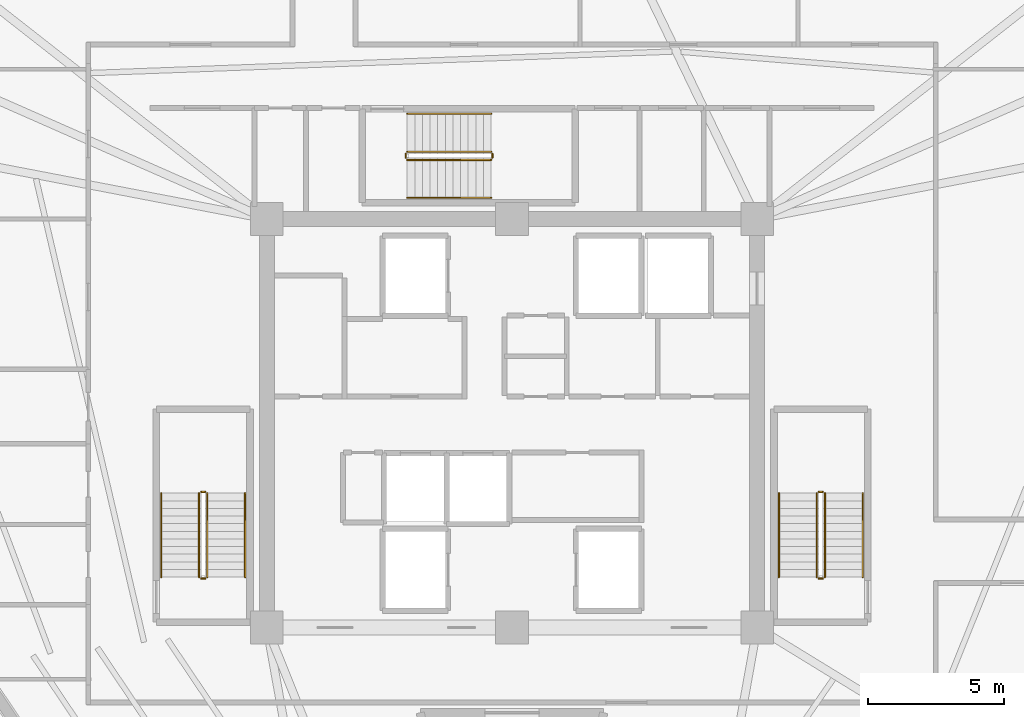
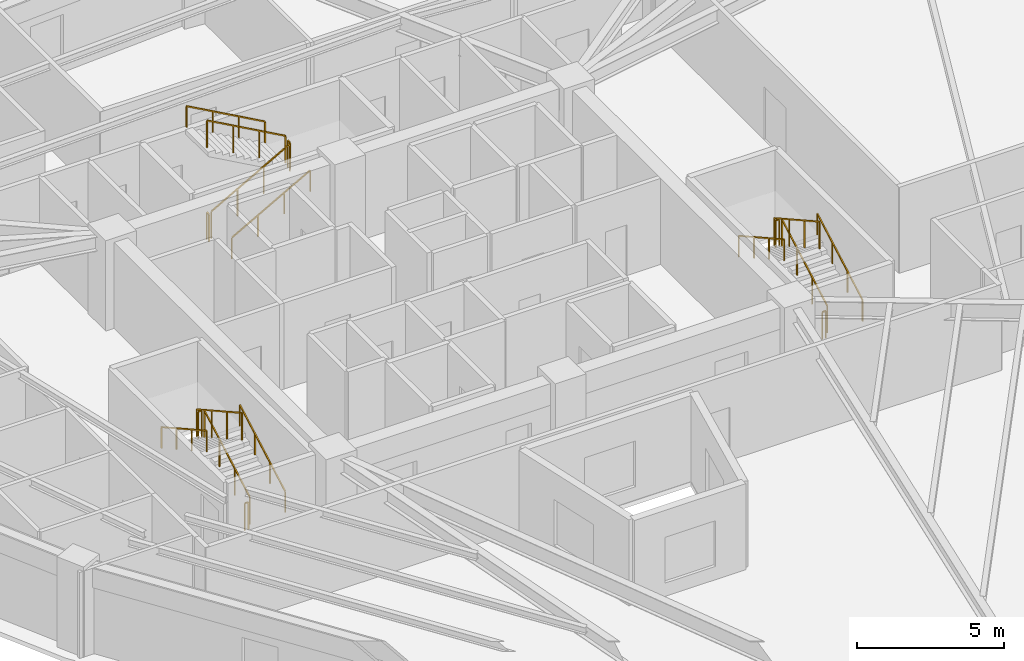
# One storey, part 8 of 8: 18 railings.
"""IFC4 building model written with IfcOpenShell, lengths in metres."""

import ifcopenshell
import ifcopenshell.guid

model = None  # the IFC model being written
_history = None  # IfcOwnerHistory: only IFC2X3 demands one
_inside = {}  # id of a spatial element -> (the spatial element, [elements in it])
_under = {}  # id of a project, library or spatial element -> (it, [spatial elements below it])
_declared = {}  # id of a project -> (the project, [libraries it declares])
_typed = {}  # id of a type object -> (the type object, [elements of that type])
_made_of = {}  # id of a material, layer set ... -> (it, [elements and type objects made of it])


def new_model(schema):
    """Start an empty IFC model of exactly this schema.

    Asked for "IFC4X3", IfcOpenShell would pick the latest addendum, in which some entities
    have other attributes; the version numbers below select the first issue.
    IFC2X3 requires an IfcOwnerHistory on every rooted entity: one is made here for all.
    """
    global model, _history
    if schema == "IFC4X3":
        model = ifcopenshell.file(schema_version=(4, 3, 0, 0))
    else:
        model = ifcopenshell.file(schema=schema)
    _inside.clear()
    _under.clear()
    _declared.clear()
    _typed.clear()
    _made_of.clear()
    _history = None
    if model.schema == "IFC2X3":
        org = make("IfcOrganization", Name="unknown")
        user = make(
            "IfcPersonAndOrganization",
            ThePerson=make("IfcPerson", FamilyName="unknown"),
            TheOrganization=org,
        )
        app = make(
            "IfcApplication",
            ApplicationDeveloper=org,
            Version="unknown",
            ApplicationFullName="unknown",
            ApplicationIdentifier="unknown",
        )
        _history = make(
            "IfcOwnerHistory",
            OwningUser=user,
            OwningApplication=app,
            ChangeAction="ADDED",
            CreationDate=0,
        )
    return model


def make(cls, **values):
    """One entity of the class cls with the attributes given. An attribute that is None is left unset."""
    return model.create_entity(
        cls, **{name: value for name, value in values.items() if value is not None}
    )


def rooted(cls, **values):
    """An entity with a GlobalId (a new one), such as an element, a storey or a relation."""
    return make(cls, GlobalId=ifcopenshell.guid.new(), OwnerHistory=_history, **values)


def si_unit(unit_type, name, prefix=None):
    """IfcSIUnit, for example si_unit("LENGTHUNIT", "METRE", prefix="MILLI")."""
    return make("IfcSIUnit", UnitType=unit_type, Prefix=prefix, Name=name)


def assignment(units):
    """IfcUnitAssignment: the units of a project."""
    return None if units is None else make("IfcUnitAssignment", Units=units)


def point(xyz):
    """IfcCartesianPoint."""
    return None if xyz is None else make("IfcCartesianPoint", Coordinates=xyz)


def direction(xyz):
    """IfcDirection."""
    return None if xyz is None else make("IfcDirection", DirectionRatios=xyz)


def frame(location, z_axis=None, x_axis=None):
    """IfcAxis2Placement3D, a coordinate frame: its origin and axes. An axis left out is left unset."""
    return make(
        "IfcAxis2Placement3D",
        Location=point(location),
        Axis=direction(z_axis),
        RefDirection=direction(x_axis),
    )


def frame_2d(location, x_axis=None):
    """IfcAxis2Placement2D, a coordinate frame in the plane: its origin and x axis."""
    return make(
        "IfcAxis2Placement2D", Location=point(location), RefDirection=direction(x_axis)
    )


def origin():
    """The frame at (0, 0, 0) with its axes left unset."""
    return frame((0.0, 0.0, 0.0))


def origin_2d():
    """The frame at (0, 0) in the plane with its x axis left unset."""
    return frame_2d((0.0, 0.0))


def place(relative_to, where):
    """IfcLocalPlacement: puts the frame where relative to a parent placement (None: the world)."""
    return make(
        "IfcLocalPlacement", PlacementRelTo=relative_to, RelativePlacement=where
    )


def context(
    kind, dimensions, precision=None, world=None, true_north=None, identifier=None
):
    """IfcGeometricRepresentationContext, for example the 3D "Model" context."""
    return make(
        "IfcGeometricRepresentationContext",
        ContextIdentifier=identifier,
        ContextType=kind,
        CoordinateSpaceDimension=dimensions,
        Precision=precision,
        WorldCoordinateSystem=world,
        TrueNorth=true_north,
    )


def subcontext(parent, identifier, kind, view, scale=None):
    """IfcGeometricRepresentationSubContext, for example "Body" below "Model"."""
    return make(
        "IfcGeometricRepresentationSubContext",
        ContextIdentifier=identifier,
        ContextType=kind,
        ParentContext=parent,
        TargetScale=scale,
        TargetView=view,
    )


def project(units=None, contexts=None):
    """IfcProject with its units and contexts."""
    return rooted(
        "IfcProject",
        Name="project",
        RepresentationContexts=contexts,
        UnitsInContext=assignment(units),
    )


def spatial(cls, under=None, at=None, **own):
    """A site, building, storey or space (cls), placed at a placement, below another one or the project."""
    s = rooted(cls, ObjectPlacement=at, **own)
    if under is not None:
        _under.setdefault(under.id(), (under, []))[1].append(s)
    return s


def profile(cls, at=None, kind="AREA", **sizes):
    """A parametric profile (cls). Its sizes go by their IFC names, for example OverallWidth=200.0."""
    return make(cls, ProfileType=kind, Position=at, **sizes)


def rectangle(**sizes):
    """IfcRectangleProfileDef."""
    return profile("IfcRectangleProfileDef", **sizes)


def extrude(swept, where, along, depth):
    """IfcExtrudedAreaSolid: the profile swept, set in the frame where, extruded along a direction by depth."""
    return make(
        "IfcExtrudedAreaSolid",
        SweptArea=swept,
        Position=where,
        ExtrudedDirection=direction(along),
        Depth=depth,
    )


def shape(context_of_items, identifier, shape_type, items):
    """IfcShapeRepresentation: the items that make up one representation, for example the "Body"."""
    return make(
        "IfcShapeRepresentation",
        ContextOfItems=context_of_items,
        RepresentationIdentifier=identifier,
        RepresentationType=shape_type,
        Items=items,
    )


def material(Name=None, Category=None):
    """IfcMaterial."""
    return make("IfcMaterial", Name=Name, Category=Category)


def made_of(thing, what):
    """Note that an element or type object is made of a material, layer set ...; save() writes the relation."""
    if what is not None:
        _made_of.setdefault(what.id(), (what, []))[1].append(thing)
    return thing


def type_object(cls, material=None, **own):
    """A type object (cls), such as IfcWallType, which elements share."""
    return made_of(rooted(cls, **own), material)


def element(
    cls,
    number,
    at=None,
    inside=None,
    cuts=None,
    type_object=None,
    material=None,
    context=None,
    identifier="Body",
    shape_type=None,
    held_by="IfcProductDefinitionShape",
    body=None,
    shapes=None,
    **own,
):
    """One element of the class cls, such as IfcWall. Its Tag is "e" and its number.

    at: its placement. inside: the storey or other place that contains it. cuts: it is an
    opening in that element (IfcRelVoidsElement). A single representation is given by context,
    identifier, shape_type and body (its items); several are given by shapes. held_by: the class
    of the entity that holds the representations. save() writes the other relations.
    """
    e = rooted(cls, Tag="e%d" % number, ObjectPlacement=at, **own)
    if body is not None:
        shapes = [shape(context, identifier, shape_type, body)]
    if shapes is not None:
        e.Representation = make(held_by, Representations=shapes)
    if inside is not None:
        _inside.setdefault(inside.id(), (inside, []))[1].append(e)
    if cuts is not None:
        rooted(
            "IfcRelVoidsElement", RelatingBuildingElement=cuts, RelatedOpeningElement=e
        )
    if type_object is not None:
        _typed.setdefault(type_object.id(), (type_object, []))[1].append(e)
    return made_of(e, material)


def aggregate(whole, parts):
    """IfcRelAggregates: a whole, such as a stair, and the parts it consists of."""
    return rooted("IfcRelAggregates", RelatingObject=whole, RelatedObjects=parts)


def save(model, path):
    """Write the relations noted so far, then the file.

    IfcRelAggregates (storeys below a building ...), IfcRelContainedInSpatialStructure (elements
    in a storey), IfcRelDefinesByType, IfcRelAssociatesMaterial and IfcRelDeclares: one each for
    every whole, place, type object, material and project.
    """
    for whole, parts in _under.values():
        aggregate(whole, parts)
    for where, things in _inside.values():
        rooted(
            "IfcRelContainedInSpatialStructure",
            RelatedElements=things,
            RelatingStructure=where,
        )
    for kind, things in _typed.values():
        rooted("IfcRelDefinesByType", RelatedObjects=things, RelatingType=kind)
    for what, things in _made_of.values():
        rooted("IfcRelAssociatesMaterial", RelatedObjects=things, RelatingMaterial=what)
    for by, libraries in _declared.values():
        rooted("IfcRelDeclares", RelatingContext=by, RelatedDefinitions=libraries)
    model.write(path)


model = new_model("IFC4")

# Units and contexts
model_context = context("Model", 3, precision=1e-05, world=origin(), true_north=direction((0.0, 1.0)))
body_context = subcontext(model_context, "Body", "Model", "MODEL_VIEW")
ifc_project = project(units=[si_unit("LENGTHUNIT", "METRE"), si_unit("AREAUNIT", "SQUARE_METRE"), si_unit("VOLUMEUNIT", "CUBIC_METRE"), si_unit("PLANEANGLEUNIT", "RADIAN"), si_unit("MASSUNIT", "GRAM", prefix="KILO")], contexts=[model_context])

# Site, building, storey
site_placement = place(None, origin())
site = spatial("IfcSite", under=ifc_project, at=site_placement, CompositionType="ELEMENT")
building_placement = place(site_placement, origin())
building = spatial("IfcBuilding", under=site, at=building_placement, Name="Liaohun Quay Tower", CompositionType="ELEMENT")
storey_placement = place(building_placement, frame((0.0, 0.0, 332.25)))
storey = spatial("IfcBuildingStorey", under=building, at=storey_placement, Name="L86", CompositionType="ELEMENT", Elevation=332.25)

# Railings
ifc_material_1 = material(Name="Painted tubular steel", Category="steel")
railing_type_1 = type_object("IfcRailingType", Name="RLG-GUARD-STR", PredefinedType="GUARDRAIL", material=ifc_material_1)
railing_1_placement = place(storey_placement, frame((48.81005859375, 48.35009765625, 0.15625)))
element("IfcRailing", 1, at=railing_1_placement, inside=storey, type_object=railing_type_1, Name="L86 ST-1 stair guard 1", PredefinedType="GUARDRAIL", context=body_context, shape_type="SweptSolid", body=[
    extrude(rectangle(XDim=0.048095703125, YDim=0.048095703125, at=origin_2d()), frame((0.0, 0.0, 1.1259765625), z_axis=(0.0, 0.873225103656, 0.487317061414), x_axis=(-1.0, 0.0, 0.0)), (0.0, 0.0, 1.0), 3.52685546875),
    extrude(rectangle(XDim=0.0419921875, YDim=0.0419921875, at=origin_2d()), origin(), (0.0, 0.0, 1.0), 1.101806640625),
    extrude(rectangle(XDim=0.0419921875, YDim=0.0419921875, at=origin_2d()), frame((0.0, 1.026611328125, 0.572998046875)), (0.0, 0.0, 1.0), 1.101806640625),
    extrude(rectangle(XDim=0.0419921875, YDim=0.0419921875, at=origin_2d()), frame((0.0, 2.05322265625, 1.145751953125)), (0.0, 0.0, 1.0), 1.101806640625),
    extrude(rectangle(XDim=0.0419921875, YDim=0.0419921875, at=origin_2d()), frame((0.0, 3.079833984375, 1.71875)), (0.0, 0.0, 1.0), 1.101806640625),
])
railing_2_placement = place(storey_placement, frame((48.72998046875, 51.47998046875, 1.875)))
element("IfcRailing", 2, at=railing_2_placement, inside=storey, type_object=railing_type_1, Name="L86 ST-1 stair guard 2", PredefinedType="GUARDRAIL", context=body_context, shape_type="SweptSolid", body=[
    extrude(rectangle(XDim=0.048095703125, YDim=0.048095703125, at=origin_2d()), frame((0.0, 0.0, 1.1259765625), z_axis=(-1.0, 0.0, 0.0), x_axis=(0.0, -1.0, 0.0)), (0.0, 0.0, 1.0), 0.139892578125),
    extrude(rectangle(XDim=0.0419921875, YDim=0.0419921875, at=origin_2d()), origin(), (0.0, 0.0, 1.0), 1.101806640625),
    extrude(rectangle(XDim=0.0419921875, YDim=0.0419921875, at=origin_2d()), frame((-0.139892578125, 0.0, 0.0)), (0.0, 0.0, 1.0), 1.101806640625),
])
railing_3_placement = place(storey_placement, frame((48.510009765625, 51.429931640625, 2.03125)))
element("IfcRailing", 3, at=railing_3_placement, inside=storey, type_object=railing_type_1, Name="L86 ST-1 stair guard 3", PredefinedType="GUARDRAIL", context=body_context, shape_type="SweptSolid", body=[
    extrude(rectangle(XDim=0.048095703125, YDim=0.048095703125, at=origin_2d()), frame((0.0, 0.0, 1.1259765625), z_axis=(0.0, -0.873225103656, 0.487317061414), x_axis=(1.0, 0.0, 0.0)), (0.0, 0.0, 1.0), 3.52685546875),
    extrude(rectangle(XDim=0.0419921875, YDim=0.0419921875, at=origin_2d()), origin(), (0.0, 0.0, 1.0), 1.101806640625),
    extrude(rectangle(XDim=0.0419921875, YDim=0.0419921875, at=origin_2d()), frame((0.0, -1.026611328125, 0.572998046875)), (0.0, 0.0, 1.0), 1.101806640625),
    extrude(rectangle(XDim=0.0419921875, YDim=0.0419921875, at=origin_2d()), frame((0.0, -2.05322265625, 1.145751953125)), (0.0, 0.0, 1.0), 1.101806640625),
    extrude(rectangle(XDim=0.0419921875, YDim=0.0419921875, at=origin_2d()), frame((0.0, -3.079833984375, 1.71875)), (0.0, 0.0, 1.0), 1.101806640625),
])
railing_4_placement = place(storey_placement, frame((48.72998046875, 48.300048828125, 0.0)))
element("IfcRailing", 4, at=railing_4_placement, inside=storey, type_object=railing_type_1, Name="L86 ST-1 stair guard 4", PredefinedType="GUARDRAIL", context=body_context, shape_type="SweptSolid", body=[
    extrude(rectangle(XDim=0.048095703125, YDim=0.048095703125, at=origin_2d()), frame((0.0, 0.0, 1.1259765625), z_axis=(-1.0, 0.0, 0.0), x_axis=(0.0, -1.0, 0.0)), (0.0, 0.0, 1.0), 0.139892578125),
    extrude(rectangle(XDim=0.0419921875, YDim=0.0419921875, at=origin_2d()), origin(), (0.0, 0.0, 1.0), 1.101806640625),
    extrude(rectangle(XDim=0.0419921875, YDim=0.0419921875, at=origin_2d()), frame((-0.139892578125, 0.0, 0.0)), (0.0, 0.0, 1.0), 1.101806640625),
])
railing_5_placement = place(storey_placement, frame((71.489990234375, 48.35009765625, 0.15625)))
element("IfcRailing", 5, at=railing_5_placement, inside=storey, type_object=railing_type_1, Name="L86 ST-2 stair guard 1", PredefinedType="GUARDRAIL", context=body_context, shape_type="SweptSolid", body=[
    extrude(rectangle(XDim=0.048095703125, YDim=0.048095703125, at=origin_2d()), frame((0.0, 0.0, 1.1259765625), z_axis=(0.0, 0.873225103656, 0.487317061414), x_axis=(-1.0, 0.0, 0.0)), (0.0, 0.0, 1.0), 3.52685546875),
    extrude(rectangle(XDim=0.0419921875, YDim=0.0419921875, at=origin_2d()), origin(), (0.0, 0.0, 1.0), 1.101806640625),
    extrude(rectangle(XDim=0.0419921875, YDim=0.0419921875, at=origin_2d()), frame((0.0, 1.026611328125, 0.572998046875)), (0.0, 0.0, 1.0), 1.101806640625),
    extrude(rectangle(XDim=0.0419921875, YDim=0.0419921875, at=origin_2d()), frame((0.0, 2.05322265625, 1.145751953125)), (0.0, 0.0, 1.0), 1.101806640625),
    extrude(rectangle(XDim=0.0419921875, YDim=0.0419921875, at=origin_2d()), frame((0.0, 3.079833984375, 1.71875)), (0.0, 0.0, 1.0), 1.101806640625),
])
railing_6_placement = place(storey_placement, frame((71.409912109375, 51.47998046875, 1.875)))
element("IfcRailing", 6, at=railing_6_placement, inside=storey, type_object=railing_type_1, Name="L86 ST-2 stair guard 2", PredefinedType="GUARDRAIL", context=body_context, shape_type="SweptSolid", body=[
    extrude(rectangle(XDim=0.048095703125, YDim=0.048095703125, at=origin_2d()), frame((0.0, 0.0, 1.1259765625), z_axis=(-1.0, 0.0, 0.0), x_axis=(0.0, -1.0, 0.0)), (0.0, 0.0, 1.0), 0.139892578125),
    extrude(rectangle(XDim=0.0419921875, YDim=0.0419921875, at=origin_2d()), origin(), (0.0, 0.0, 1.0), 1.101806640625),
    extrude(rectangle(XDim=0.0419921875, YDim=0.0419921875, at=origin_2d()), frame((-0.139892578125, 0.0, 0.0)), (0.0, 0.0, 1.0), 1.101806640625),
])
railing_7_placement = place(storey_placement, frame((71.18994140625, 51.429931640625, 2.03125)))
element("IfcRailing", 7, at=railing_7_placement, inside=storey, type_object=railing_type_1, Name="L86 ST-2 stair guard 3", PredefinedType="GUARDRAIL", context=body_context, shape_type="SweptSolid", body=[
    extrude(rectangle(XDim=0.048095703125, YDim=0.048095703125, at=origin_2d()), frame((0.0, 0.0, 1.1259765625), z_axis=(0.0, -0.873225103656, 0.487317061414), x_axis=(1.0, 0.0, 0.0)), (0.0, 0.0, 1.0), 3.52685546875),
    extrude(rectangle(XDim=0.0419921875, YDim=0.0419921875, at=origin_2d()), origin(), (0.0, 0.0, 1.0), 1.101806640625),
    extrude(rectangle(XDim=0.0419921875, YDim=0.0419921875, at=origin_2d()), frame((0.0, -1.026611328125, 0.572998046875)), (0.0, 0.0, 1.0), 1.101806640625),
    extrude(rectangle(XDim=0.0419921875, YDim=0.0419921875, at=origin_2d()), frame((0.0, -2.05322265625, 1.145751953125)), (0.0, 0.0, 1.0), 1.101806640625),
    extrude(rectangle(XDim=0.0419921875, YDim=0.0419921875, at=origin_2d()), frame((0.0, -3.079833984375, 1.71875)), (0.0, 0.0, 1.0), 1.101806640625),
])
railing_8_placement = place(storey_placement, frame((71.409912109375, 48.300048828125, 0.0)))
element("IfcRailing", 8, at=railing_8_placement, inside=storey, type_object=railing_type_1, Name="L86 ST-2 stair guard 4", PredefinedType="GUARDRAIL", context=body_context, shape_type="SweptSolid", body=[
    extrude(rectangle(XDim=0.048095703125, YDim=0.048095703125, at=origin_2d()), frame((0.0, 0.0, 1.1259765625), z_axis=(-1.0, 0.0, 0.0), x_axis=(0.0, -1.0, 0.0)), (0.0, 0.0, 1.0), 0.139892578125),
    extrude(rectangle(XDim=0.0419921875, YDim=0.0419921875, at=origin_2d()), origin(), (0.0, 0.0, 1.0), 1.101806640625),
    extrude(rectangle(XDim=0.0419921875, YDim=0.0419921875, at=origin_2d()), frame((-0.139892578125, 0.0, 0.0)), (0.0, 0.0, 1.0), 1.101806640625),
])
railing_9_placement = place(storey_placement, frame((56.14990234375, 63.669921875, 0.15625)))
element("IfcRailing", 9, at=railing_9_placement, inside=storey, type_object=railing_type_1, Name="L86 ST-3 stair guard 1", PredefinedType="GUARDRAIL", context=body_context, shape_type="SweptSolid", body=[
    extrude(rectangle(XDim=0.048095703125, YDim=0.048095703125, at=origin_2d()), frame((0.0, 0.0, 1.1259765625), z_axis=(0.873241540666, 0.0, 0.487287606713), x_axis=(0.0, 1.0, 0.0)), (0.0, 0.0, 1.0), 3.527099609375),
    extrude(rectangle(XDim=0.0419921875, YDim=0.0419921875, at=origin_2d()), origin(), (0.0, 0.0, 1.0), 1.101806640625),
    extrude(rectangle(XDim=0.0419921875, YDim=0.0419921875, at=origin_2d()), frame((1.026611328125, 0.0, 0.572998046875)), (0.0, 0.0, 1.0), 1.101806640625),
    extrude(rectangle(XDim=0.0419921875, YDim=0.0419921875, at=origin_2d()), frame((2.053466796875, 0.0, 1.145751953125)), (0.0, 0.0, 1.0), 1.101806640625),
    extrude(rectangle(XDim=0.0419921875, YDim=0.0419921875, at=origin_2d()), frame((3.080078125, 0.0, 1.71875)), (0.0, 0.0, 1.0), 1.101806640625),
])
railing_10_placement = place(storey_placement, frame((59.280029296875, 63.75, 1.875)))
element("IfcRailing", 10, at=railing_10_placement, inside=storey, type_object=railing_type_1, Name="L86 ST-3 stair guard 2", PredefinedType="GUARDRAIL", context=body_context, shape_type="SweptSolid", body=[
    extrude(rectangle(XDim=0.048095703125, YDim=0.048095703125, at=origin_2d()), frame((0.0, 0.0, 1.1259765625), z_axis=(0.0, 1.0, 0.0), x_axis=(-1.0, 0.0, 0.0)), (0.0, 0.0, 1.0), 0.139892578125),
    extrude(rectangle(XDim=0.0419921875, YDim=0.0419921875, at=origin_2d()), origin(), (0.0, 0.0, 1.0), 1.101806640625),
    extrude(rectangle(XDim=0.0419921875, YDim=0.0419921875, at=origin_2d()), frame((0.0, 0.139892578125, 0.0)), (0.0, 0.0, 1.0), 1.101806640625),
])
railing_11_placement = place(storey_placement, frame((59.22998046875, 63.969970703125, 2.03125)))
element("IfcRailing", 11, at=railing_11_placement, inside=storey, type_object=railing_type_1, Name="L86 ST-3 stair guard 3", PredefinedType="GUARDRAIL", context=body_context, shape_type="SweptSolid", body=[
    extrude(rectangle(XDim=0.048095703125, YDim=0.048095703125, at=origin_2d()), frame((0.0, 0.0, 1.1259765625), z_axis=(-0.873241540666, 0.0, 0.487287606713), x_axis=(0.0, -1.0, 0.0)), (0.0, 0.0, 1.0), 3.527099609375),
    extrude(rectangle(XDim=0.0419921875, YDim=0.0419921875, at=origin_2d()), origin(), (0.0, 0.0, 1.0), 1.101806640625),
    extrude(rectangle(XDim=0.0419921875, YDim=0.0419921875, at=origin_2d()), frame((-1.026611328125, 0.0, 0.572998046875)), (0.0, 0.0, 1.0), 1.101806640625),
    extrude(rectangle(XDim=0.0419921875, YDim=0.0419921875, at=origin_2d()), frame((-2.053466796875, 0.0, 1.145751953125)), (0.0, 0.0, 1.0), 1.101806640625),
    extrude(rectangle(XDim=0.0419921875, YDim=0.0419921875, at=origin_2d()), frame((-3.080078125, 0.0, 1.71875)), (0.0, 0.0, 1.0), 1.101806640625),
])
railing_12_placement = place(storey_placement, frame((56.10009765625, 63.75, 0.0)))
element("IfcRailing", 12, at=railing_12_placement, inside=storey, type_object=railing_type_1, Name="L86 ST-3 stair guard 4", PredefinedType="GUARDRAIL", context=body_context, shape_type="SweptSolid", body=[
    extrude(rectangle(XDim=0.048095703125, YDim=0.048095703125, at=origin_2d()), frame((0.0, 0.0, 1.1259765625), z_axis=(0.0, 1.0, 0.0), x_axis=(-1.0, 0.0, 0.0)), (0.0, 0.0, 1.0), 0.139892578125),
    extrude(rectangle(XDim=0.0419921875, YDim=0.0419921875, at=origin_2d()), origin(), (0.0, 0.0, 1.0), 1.101806640625),
    extrude(rectangle(XDim=0.0419921875, YDim=0.0419921875, at=origin_2d()), frame((0.0, 0.139892578125, 0.0)), (0.0, 0.0, 1.0), 1.101806640625),
])
ifc_material_2 = material(Name="Brushed stainless steel", Category="steel")
railing_type_2 = type_object("IfcRailingType", Name="RLG-HND-STR", PredefinedType="HANDRAIL", material=ifc_material_2)
railing_13_placement = place(storey_placement, frame((50.199951171875, 48.35009765625, 0.15625)))
element("IfcRailing", 13, at=railing_13_placement, inside=storey, type_object=railing_type_2, Name="L86 ST-1 stair handrail 1", PredefinedType="HANDRAIL", context=body_context, shape_type="SweptSolid", body=[
    extrude(rectangle(XDim=0.048095703125, YDim=0.048095703125, at=origin_2d()), frame((0.0, 0.0, 0.8759765625), z_axis=(0.0, 0.873225103656, 0.487317061414), x_axis=(-1.0, 0.0, 0.0)), (0.0, 0.0, 1.0), 3.52685546875),
    extrude(rectangle(XDim=0.0419921875, YDim=0.0419921875, at=origin_2d()), origin(), (0.0, 0.0, 1.0), 0.851806640625),
    extrude(rectangle(XDim=0.0419921875, YDim=0.0419921875, at=origin_2d()), frame((0.0, 1.026611328125, 0.572998046875)), (0.0, 0.0, 1.0), 0.851806640625),
    extrude(rectangle(XDim=0.0419921875, YDim=0.0419921875, at=origin_2d()), frame((0.0, 2.05322265625, 1.145751953125)), (0.0, 0.0, 1.0), 0.851806640625),
    extrude(rectangle(XDim=0.0419921875, YDim=0.0419921875, at=origin_2d()), frame((0.0, 3.079833984375, 1.71875)), (0.0, 0.0, 1.0), 0.851806640625),
])
railing_14_placement = place(storey_placement, frame((47.1201171875, 51.429931640625, 2.03125)))
element("IfcRailing", 14, at=railing_14_placement, inside=storey, type_object=railing_type_2, Name="L86 ST-1 stair handrail 2", PredefinedType="HANDRAIL", context=body_context, shape_type="SweptSolid", body=[
    extrude(rectangle(XDim=0.048095703125, YDim=0.048095703125, at=origin_2d()), frame((0.0, 0.0, 0.8759765625), z_axis=(0.0, -0.873225103656, 0.487317061414), x_axis=(1.0, 0.0, 0.0)), (0.0, 0.0, 1.0), 3.52685546875),
    extrude(rectangle(XDim=0.0419921875, YDim=0.0419921875, at=origin_2d()), origin(), (0.0, 0.0, 1.0), 0.851806640625),
    extrude(rectangle(XDim=0.0419921875, YDim=0.0419921875, at=origin_2d()), frame((0.0, -1.026611328125, 0.572998046875)), (0.0, 0.0, 1.0), 0.851806640625),
    extrude(rectangle(XDim=0.0419921875, YDim=0.0419921875, at=origin_2d()), frame((0.0, -2.05322265625, 1.145751953125)), (0.0, 0.0, 1.0), 0.851806640625),
    extrude(rectangle(XDim=0.0419921875, YDim=0.0419921875, at=origin_2d()), frame((0.0, -3.079833984375, 1.71875)), (0.0, 0.0, 1.0), 0.851806640625),
])
railing_15_placement = place(storey_placement, frame((72.8798828125, 48.35009765625, 0.15625)))
element("IfcRailing", 15, at=railing_15_placement, inside=storey, type_object=railing_type_2, Name="L86 ST-2 stair handrail 1", PredefinedType="HANDRAIL", context=body_context, shape_type="SweptSolid", body=[
    extrude(rectangle(XDim=0.048095703125, YDim=0.048095703125, at=origin_2d()), frame((0.0, 0.0, 0.8759765625), z_axis=(0.0, 0.873225103656, 0.487317061414), x_axis=(-1.0, 0.0, 0.0)), (0.0, 0.0, 1.0), 3.52685546875),
    extrude(rectangle(XDim=0.0419921875, YDim=0.0419921875, at=origin_2d()), origin(), (0.0, 0.0, 1.0), 0.851806640625),
    extrude(rectangle(XDim=0.0419921875, YDim=0.0419921875, at=origin_2d()), frame((0.0, 1.026611328125, 0.572998046875)), (0.0, 0.0, 1.0), 0.851806640625),
    extrude(rectangle(XDim=0.0419921875, YDim=0.0419921875, at=origin_2d()), frame((0.0, 2.05322265625, 1.145751953125)), (0.0, 0.0, 1.0), 0.851806640625),
    extrude(rectangle(XDim=0.0419921875, YDim=0.0419921875, at=origin_2d()), frame((0.0, 3.079833984375, 1.71875)), (0.0, 0.0, 1.0), 0.851806640625),
])
railing_16_placement = place(storey_placement, frame((69.800048828125, 51.429931640625, 2.03125)))
element("IfcRailing", 16, at=railing_16_placement, inside=storey, type_object=railing_type_2, Name="L86 ST-2 stair handrail 2", PredefinedType="HANDRAIL", context=body_context, shape_type="SweptSolid", body=[
    extrude(rectangle(XDim=0.048095703125, YDim=0.048095703125, at=origin_2d()), frame((0.0, 0.0, 0.8759765625), z_axis=(0.0, -0.873225103656, 0.487317061414), x_axis=(1.0, 0.0, 0.0)), (0.0, 0.0, 1.0), 3.52685546875),
    extrude(rectangle(XDim=0.0419921875, YDim=0.0419921875, at=origin_2d()), origin(), (0.0, 0.0, 1.0), 0.851806640625),
    extrude(rectangle(XDim=0.0419921875, YDim=0.0419921875, at=origin_2d()), frame((0.0, -1.026611328125, 0.572998046875)), (0.0, 0.0, 1.0), 0.851806640625),
    extrude(rectangle(XDim=0.0419921875, YDim=0.0419921875, at=origin_2d()), frame((0.0, -2.05322265625, 1.145751953125)), (0.0, 0.0, 1.0), 0.851806640625),
    extrude(rectangle(XDim=0.0419921875, YDim=0.0419921875, at=origin_2d()), frame((0.0, -3.079833984375, 1.71875)), (0.0, 0.0, 1.0), 0.851806640625),
])
railing_17_placement = place(storey_placement, frame((56.14990234375, 62.280029296875, 0.15625)))
element("IfcRailing", 17, at=railing_17_placement, inside=storey, type_object=railing_type_2, Name="L86 ST-3 stair handrail 1", PredefinedType="HANDRAIL", context=body_context, shape_type="SweptSolid", body=[
    extrude(rectangle(XDim=0.048095703125, YDim=0.048095703125, at=origin_2d()), frame((0.0, 0.0, 0.8759765625), z_axis=(0.873241540666, 0.0, 0.487287606713), x_axis=(0.0, 1.0, 0.0)), (0.0, 0.0, 1.0), 3.527099609375),
    extrude(rectangle(XDim=0.0419921875, YDim=0.0419921875, at=origin_2d()), origin(), (0.0, 0.0, 1.0), 0.851806640625),
    extrude(rectangle(XDim=0.0419921875, YDim=0.0419921875, at=origin_2d()), frame((1.026611328125, 0.0, 0.572998046875)), (0.0, 0.0, 1.0), 0.851806640625),
    extrude(rectangle(XDim=0.0419921875, YDim=0.0419921875, at=origin_2d()), frame((2.053466796875, 0.0, 1.145751953125)), (0.0, 0.0, 1.0), 0.851806640625),
    extrude(rectangle(XDim=0.0419921875, YDim=0.0419921875, at=origin_2d()), frame((3.080078125, 0.0, 1.71875)), (0.0, 0.0, 1.0), 0.851806640625),
])
railing_18_placement = place(storey_placement, frame((59.22998046875, 65.360107421875, 2.03125)))
element("IfcRailing", 18, at=railing_18_placement, inside=storey, type_object=railing_type_2, Name="L86 ST-3 stair handrail 2", PredefinedType="HANDRAIL", context=body_context, shape_type="SweptSolid", body=[
    extrude(rectangle(XDim=0.048095703125, YDim=0.048095703125, at=origin_2d()), frame((0.0, 0.0, 0.8759765625), z_axis=(-0.873241540666, 0.0, 0.487287606713), x_axis=(0.0, -1.0, 0.0)), (0.0, 0.0, 1.0), 3.527099609375),
    extrude(rectangle(XDim=0.0419921875, YDim=0.0419921875, at=origin_2d()), origin(), (0.0, 0.0, 1.0), 0.851806640625),
    extrude(rectangle(XDim=0.0419921875, YDim=0.0419921875, at=origin_2d()), frame((-1.026611328125, 0.0, 0.572998046875)), (0.0, 0.0, 1.0), 0.851806640625),
    extrude(rectangle(XDim=0.0419921875, YDim=0.0419921875, at=origin_2d()), frame((-2.053466796875, 0.0, 1.145751953125)), (0.0, 0.0, 1.0), 0.851806640625),
    extrude(rectangle(XDim=0.0419921875, YDim=0.0419921875, at=origin_2d()), frame((-3.080078125, 0.0, 1.71875)), (0.0, 0.0, 1.0), 0.851806640625),
])

save(model, "model.ifc")
